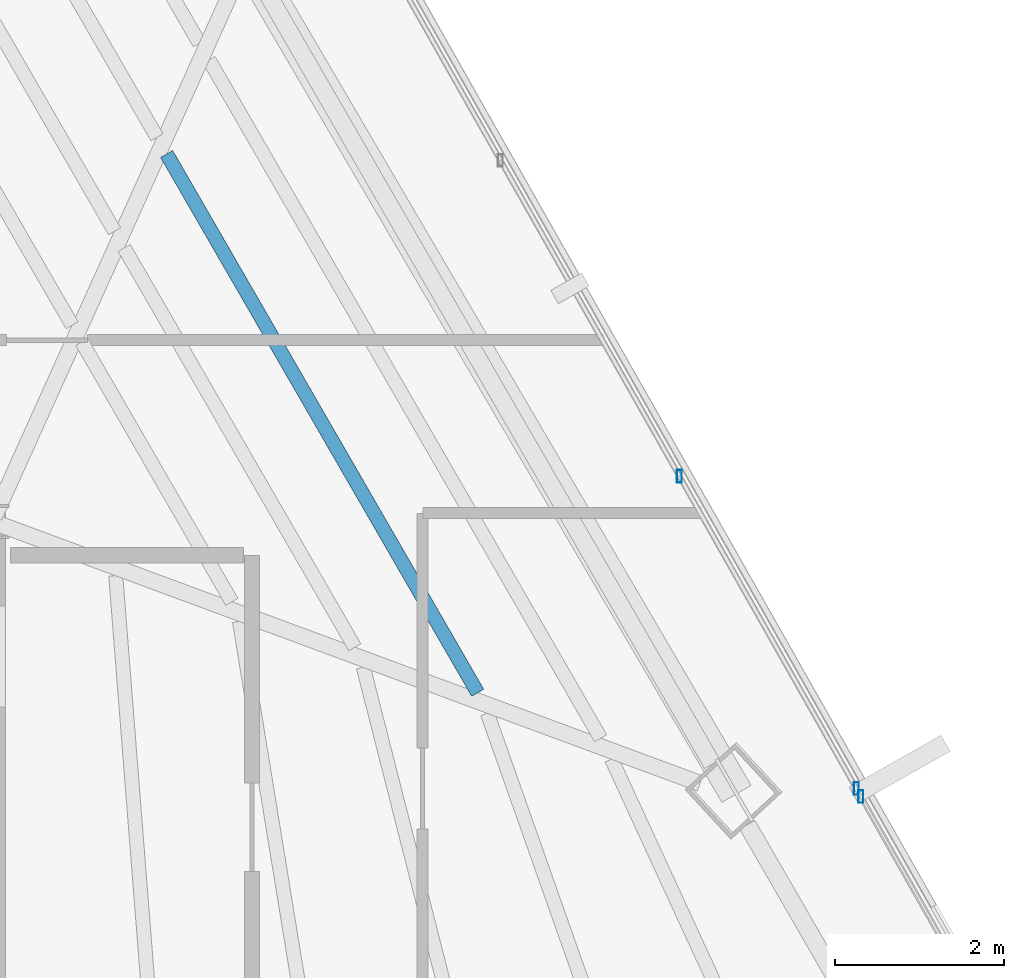
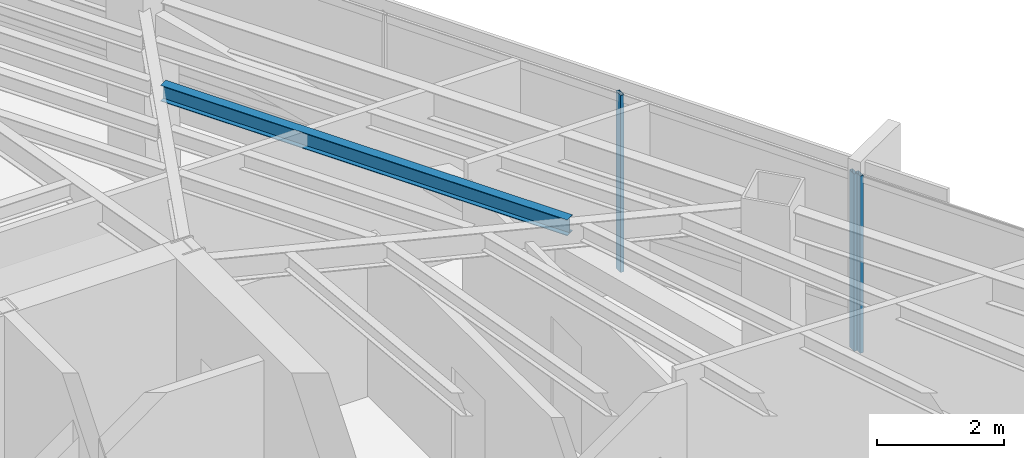
# One storey, part 26 of 40: 3 members, 1 beam, 2 elements without a shape of their own.
"""IFC4 building model written with IfcOpenShell, lengths in metres."""

from ifc_helpers import new_model, si_unit, direction, frame, origin, origin_2d, place, context, subcontext, project, spatial, hollow_rectangle, i_section, extrude, source, transform, mapped, material, material_profile, profile_set, type_object, type_shapes, element, aggregate, save


model = new_model("IFC4")

# Units and contexts
model_context = context("Model", 3, precision=1e-05, world=origin(), true_north=direction((0.0, 1.0)))
body_context = subcontext(model_context, "Body", "Model", "MODEL_VIEW")
ifc_project = project(units=[si_unit("LENGTHUNIT", "METRE"), si_unit("AREAUNIT", "SQUARE_METRE"), si_unit("VOLUMEUNIT", "CUBIC_METRE"), si_unit("PLANEANGLEUNIT", "RADIAN"), si_unit("MASSUNIT", "GRAM", prefix="KILO")], contexts=[model_context])

# Site, building, storey
site_placement = place(None, origin())
site = spatial("IfcSite", under=ifc_project, at=site_placement, CompositionType="ELEMENT")
building_placement = place(site_placement, origin())
building = spatial("IfcBuilding", under=site, at=building_placement, Name="Caelisora Broadcast Tower", CompositionType="ELEMENT")
storey_placement = place(building_placement, frame((0.0, 0.0, 213.25)))
storey = spatial("IfcBuildingStorey", under=building, at=storey_placement, Name="L56", CompositionType="ELEMENT", Elevation=213.25)

# Beam
ifc_material_1 = material(Name="Steel Grade 350 (AS/NZS 3679.1)", Category="steel")
ifc_material_profile_1 = material_profile(ifc_material_1, i_section(OverallWidth=0.166015625, OverallDepth=0.30712890625, WebThickness=0.006591796875, FlangeThickness=0.01171875, at=origin_2d()), Name="Steel Grade 350 (AS/NZS 3679.1)")
ifc_profile_set_1 = profile_set([ifc_material_profile_1], Name="Steel Grade 350 (AS/NZS 3679.1)")
beam_type = type_object("IfcBeamType", Name="SB03", PredefinedType="JOIST", material=ifc_profile_set_1)
shared_shape_1 = source(origin(), body_context, "Body", "SweptSolid", [
    extrude(i_section(OverallWidth=0.166015625, OverallDepth=0.30712890625, WebThickness=0.006591796875, FlangeThickness=0.01171875, at=origin_2d()), origin(), (0.0, 0.0, 1.0), 7.375244140625),
])
type_shapes(beam_type, [shared_shape_1])
beam_placement = place(storey_placement, frame((51.256103515625, 27.970458984375, 3.246337890625), z_axis=(-0.499984166635, 0.866034544989, 0.0), x_axis=(-0.866034544989, -0.499984166635, 0.0)))
element("IfcBeam", 1, at=beam_placement, inside=storey, type_object=beam_type, Name="L56 beam SB03", PredefinedType="JOIST", context=body_context, shape_type="MappedRepresentation", body=[
    mapped(shared_shape_1, transform((0.0, 0.0, 0.0), scale=1.0)),
])

# Curtain wall, members
ifc_material_2 = material(Name="Unitised Aluminium Insulated Shadow-Box Spandrel Curtain Wall", Category="aluminium")
curtain_wall_type_1 = type_object("IfcCurtainWallType", Name="CW-SP2", PredefinedType="NOTDEFINED", material=ifc_material_2)
curtain_wall_1_placement = place(storey_placement, origin())
curtain_wall_1 = element("IfcCurtainWall", 2, at=curtain_wall_1_placement, inside=storey, type_object=curtain_wall_type_1, Name="L56 curtain wall CW-SP2", PredefinedType="NOTDEFINED")
ifc_material_3 = material(Name="Aluminium 6063-T6 Anodised Terracotta Bronze", Category="aluminium")
ifc_material_profile_2 = material_profile(ifc_material_3, hollow_rectangle(XDim=0.06005859375, YDim=0.14990234375, WallThickness=0.00341796875, at=origin_2d()), Name="Aluminium 6063-T6 Anodised Terracotta Bronze")
ifc_profile_set_2 = profile_set([ifc_material_profile_2], Name="Aluminium 6063-T6 Anodised Terracotta Bronze")
member_type = type_object("IfcMemberType", Name="CWM-03", PredefinedType="MULLION", material=ifc_profile_set_2)
shared_shape_2 = source(origin(), body_context, "Body", "SweptSolid", [
    extrude(hollow_rectangle(XDim=0.06005859375, YDim=0.14990234375, WallThickness=0.00341796875, at=origin_2d()), origin(), (0.0, 0.0, 1.0), 3.39990234375),
])
type_shapes(member_type, [shared_shape_2])
member_1_placement = place(storey_placement, frame((53.6474609375, 30.537109375, 0.0), z_axis=(0.0, 0.0, 1.0), x_axis=(1.0, 0.0, 0.0)))
member_1 = element("IfcMember", 3, at=member_1_placement, type_object=member_type, Name="L56-CW-B02 mullion #2", PredefinedType="MULLION", context=body_context, shape_type="MappedRepresentation", body=[
    mapped(shared_shape_2, transform((0.0, 0.0, 0.0), scale=1.0)),
])
member_2_placement = place(storey_placement, frame((55.744384765625, 26.8359375, 0.0), z_axis=(0.0, 0.0, 1.0), x_axis=(1.0, 0.0, 0.0)))
member_2 = element("IfcMember", 4, at=member_2_placement, type_object=member_type, Name="L56-CW-B02 mullion #3", PredefinedType="MULLION", context=body_context, shape_type="MappedRepresentation", body=[
    mapped(shared_shape_2, transform((0.0, 0.0, 0.0), scale=1.0)),
])
aggregate(curtain_wall_1, [member_1, member_2])

# Curtain wall, member
ifc_material_4 = material(Name="Unitised Aluminium and Low-E Glass Curtain Wall", Category="glass")
curtain_wall_type_2 = type_object("IfcCurtainWallType", Name="CW-Z4", PredefinedType="NOTDEFINED", material=ifc_material_4)
curtain_wall_2_placement = place(storey_placement, origin())
curtain_wall_2 = element("IfcCurtainWall", 5, at=curtain_wall_2_placement, inside=storey, type_object=curtain_wall_type_2, Name="L56 curtain wall CW-Z4", PredefinedType="NOTDEFINED")
member_3_placement = place(storey_placement, frame((55.798583984375, 26.740234375, 0.0), z_axis=(0.0, 0.0, 1.0), x_axis=(1.0, 0.0, 0.0)))
member_3 = element("IfcMember", 6, at=member_3_placement, type_object=member_type, Name="L56-CW-B03 mullion #0", PredefinedType="MULLION", context=body_context, shape_type="MappedRepresentation", body=[
    mapped(shared_shape_2, transform((0.0, 0.0, 0.0), scale=1.0)),
])
aggregate(curtain_wall_2, [member_3])

save(model, "model.ifc")
